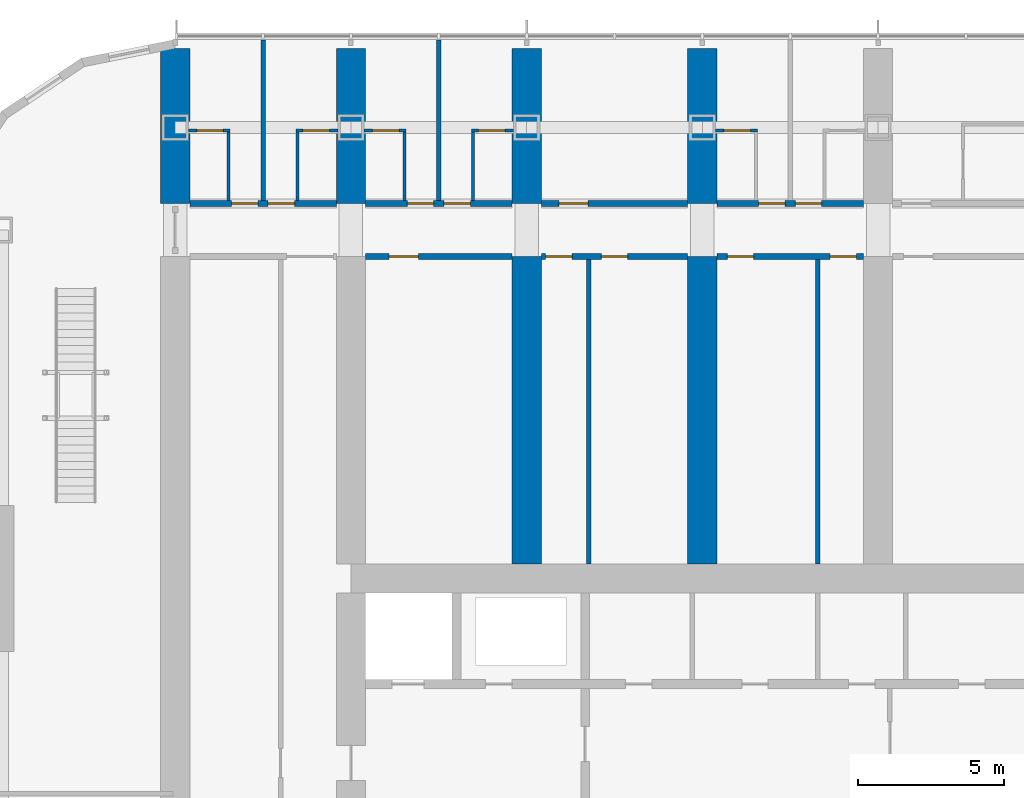
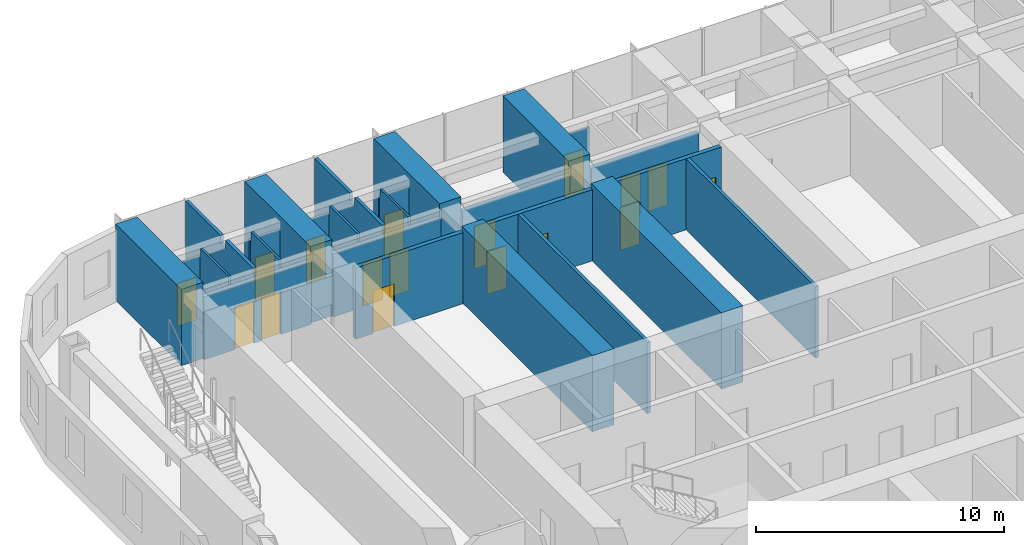
# One storey, part 17 of 28: 26 walls, 17 doors, 17 openings.
"""IFC4 building model written with IfcOpenShell, lengths in metres."""

from ifc_helpers import new_model, si_unit, direction, frame, frame_2d, origin, place, context, subcontext, project, spatial, polyline, rectangle, outline, extrude, material, layer, layer_set, type_object, element, fill, save


model = new_model("IFC4")

# Units and contexts
model_context = context("Model", 3, precision=1e-05, world=origin(), true_north=direction((0.0, 1.0)))
body_context = subcontext(model_context, "Body", "Model", "MODEL_VIEW")
ifc_project = project(units=[si_unit("LENGTHUNIT", "METRE"), si_unit("AREAUNIT", "SQUARE_METRE"), si_unit("VOLUMEUNIT", "CUBIC_METRE"), si_unit("PLANEANGLEUNIT", "RADIAN"), si_unit("MASSUNIT", "GRAM", prefix="KILO")], contexts=[model_context])

# Site, building, storey
site_placement = place(None, origin())
site = spatial("IfcSite", under=ifc_project, at=site_placement, CompositionType="ELEMENT")
building_placement = place(site_placement, origin())
building = spatial("IfcBuilding", under=site, at=building_placement, Name="Orbita Commons", CompositionType="ELEMENT")
storey_placement = place(building_placement, frame((0.0, 0.0, 23.949951171875)))
storey = spatial("IfcBuildingStorey", under=building, at=storey_placement, Name="L05", CompositionType="ELEMENT", Elevation=23.949951171875)

# Wall, openings, doors
ifc_material_1 = material(Name="Concrete blockwork", Category="masonry")
ifc_layer_1 = layer(ifc_material_1, 0.199951171875)
ifc_layer_set_1 = layer_set([ifc_layer_1], Name="Concrete blockwork")
wall_type_1 = type_object("IfcWallType", Name="Corridor wall 200 blockwork", PredefinedType="SOLIDWALL", material=ifc_layer_set_1)
wall_1_placement = place(storey_placement, frame((12.5, 51.0, 0.0), z_axis=(0.0, 0.0, 1.0), x_axis=(1.0, 0.0, 0.0)))
wall_1 = element("IfcWall", 1, at=wall_1_placement, inside=storey, type_object=wall_type_1, Name="Corridor wall 200 blockwork L05", PredefinedType="SOLIDWALL", context=body_context, shape_type="SweptSolid", body=[
    extrude(outline(polyline([(0.0, 0.0), (5.0, 0.0), (5.0, 3.10009765625), (0.0, 3.10009765625), (0.0, 0.0)])), frame((0.0, 0.10009765625, 0.0), z_axis=(0.0, -1.0, 0.0), x_axis=(1.0, 0.0, 0.0)), (0.0, 0.0, 1.0), 0.199951171875),
])
opening_1_placement = place(wall_1_placement, frame((1.425048828125, 0.0, 0.0)))
opening_1 = element("IfcOpeningElement", 2, at=opening_1_placement, cuts=wall_1, Name="Opening D11", PredefinedType="OPENING", context=body_context, shape_type="SweptSolid", body=[
    extrude(rectangle(XDim=0.89990234375, YDim=2.10009765625, at=frame_2d((0.449951171875, 1.050048828125))), frame((0.0, 0.10986328125, 0.0), z_axis=(0.0, -1.0, 0.0), x_axis=(1.0, 0.0, 0.0)), (0.0, 0.0, 1.0), 0.219970703125),
])
opening_2_placement = place(wall_1_placement, frame((2.675048828125, 0.0, 0.0)))
opening_2 = element("IfcOpeningElement", 3, at=opening_2_placement, cuts=wall_1, Name="Opening D11", PredefinedType="OPENING", context=body_context, shape_type="SweptSolid", body=[
    extrude(rectangle(XDim=0.89990234375, YDim=2.10009765625, at=frame_2d((0.449951171875, 1.050048828125))), frame((0.0, 0.10986328125, 0.0), z_axis=(0.0, -1.0, 0.0), x_axis=(1.0, 0.0, 0.0)), (0.0, 0.0, 1.0), 0.219970703125),
])
ifc_material_2 = material(Name="Steel-faced fire door leaf", Category="steel")
door_type_1 = type_object("IfcDoorType", Name="Corridor door 20 min 900x2100", OperationType="SINGLE_SWING_LEFT", PredefinedType="DOOR", material=ifc_material_2)
door_1_placement = place(opening_1_placement, origin())
door_1 = element("IfcDoor", 4, at=door_1_placement, inside=storey, type_object=door_type_1, Name="House bedroom L05-N00 door", OperationType="SINGLE_SWING_LEFT", OverallHeight=2.10009765625, OverallWidth=0.89990234375, PredefinedType="DOOR", context=body_context, shape_type="SweptSolid", body=[
    extrude(rectangle(XDim=0.89990234375, YDim=2.10009765625, at=frame_2d((0.449951171875, 1.050048828125))), frame((0.0, 0.02490234375, 0.0), z_axis=(0.0, -1.0, 0.0), x_axis=(1.0, 0.0, 0.0)), (0.0, 0.0, 1.0), 0.050048828125),
])
fill(opening_1, door_1)
door_2_placement = place(opening_2_placement, origin())
door_2 = element("IfcDoor", 5, at=door_2_placement, inside=storey, type_object=door_type_1, Name="House bedroom L05-N01 door", OperationType="SINGLE_SWING_LEFT", OverallHeight=2.10009765625, OverallWidth=0.89990234375, PredefinedType="DOOR", context=body_context, shape_type="SweptSolid", body=[
    extrude(rectangle(XDim=0.89990234375, YDim=2.10009765625, at=frame_2d((0.449951171875, 1.050048828125))), frame((0.0, 0.02490234375, 0.0), z_axis=(0.0, -1.0, 0.0), x_axis=(1.0, 0.0, 0.0)), (0.0, 0.0, 1.0), 0.050048828125),
])
fill(opening_2, door_2)

wall_2_placement = place(storey_placement, frame((18.5, 51.0, 0.0), z_axis=(0.0, 0.0, 1.0), x_axis=(1.0, 0.0, 0.0)))
wall_2 = element("IfcWall", 6, at=wall_2_placement, inside=storey, type_object=wall_type_1, Name="Corridor wall 200 blockwork L05", PredefinedType="SOLIDWALL", context=body_context, shape_type="SweptSolid", body=[
    extrude(outline(polyline([(0.0, 0.0), (5.0, 0.0), (5.0, 3.10009765625), (0.0, 3.10009765625), (0.0, 0.0)])), frame((0.0, 0.10009765625, 0.0), z_axis=(0.0, -1.0, 0.0), x_axis=(1.0, 0.0, 0.0)), (0.0, 0.0, 1.0), 0.199951171875),
])
opening_3_placement = place(wall_2_placement, frame((1.425048828125, 0.0, 0.0)))
opening_3 = element("IfcOpeningElement", 7, at=opening_3_placement, cuts=wall_2, Name="Opening D11", PredefinedType="OPENING", context=body_context, shape_type="SweptSolid", body=[
    extrude(rectangle(XDim=0.89990234375, YDim=2.10009765625, at=frame_2d((0.449951171875, 1.050048828125))), frame((0.0, 0.10986328125, 0.0), z_axis=(0.0, -1.0, 0.0), x_axis=(1.0, 0.0, 0.0)), (0.0, 0.0, 1.0), 0.219970703125),
])
opening_4_placement = place(wall_2_placement, frame((2.675048828125, 0.0, 0.0)))
opening_4 = element("IfcOpeningElement", 8, at=opening_4_placement, cuts=wall_2, Name="Opening D11", PredefinedType="OPENING", context=body_context, shape_type="SweptSolid", body=[
    extrude(rectangle(XDim=0.89990234375, YDim=2.10009765625, at=frame_2d((0.449951171875, 1.050048828125))), frame((0.0, 0.10986328125, 0.0), z_axis=(0.0, -1.0, 0.0), x_axis=(1.0, 0.0, 0.0)), (0.0, 0.0, 1.0), 0.219970703125),
])
door_3_placement = place(opening_3_placement, origin())
door_3 = element("IfcDoor", 9, at=door_3_placement, inside=storey, type_object=door_type_1, Name="House bedroom L05-N02 door", OperationType="SINGLE_SWING_LEFT", OverallHeight=2.10009765625, OverallWidth=0.89990234375, PredefinedType="DOOR", context=body_context, shape_type="SweptSolid", body=[
    extrude(rectangle(XDim=0.89990234375, YDim=2.10009765625, at=frame_2d((0.449951171875, 1.050048828125))), frame((0.0, 0.02490234375, 0.0), z_axis=(0.0, -1.0, 0.0), x_axis=(1.0, 0.0, 0.0)), (0.0, 0.0, 1.0), 0.050048828125),
])
fill(opening_3, door_3)
door_4_placement = place(opening_4_placement, origin())
door_4 = element("IfcDoor", 10, at=door_4_placement, inside=storey, type_object=door_type_1, Name="House bedroom L05-N03 door", OperationType="SINGLE_SWING_LEFT", OverallHeight=2.10009765625, OverallWidth=0.89990234375, PredefinedType="DOOR", context=body_context, shape_type="SweptSolid", body=[
    extrude(rectangle(XDim=0.89990234375, YDim=2.10009765625, at=frame_2d((0.449951171875, 1.050048828125))), frame((0.0, 0.02490234375, 0.0), z_axis=(0.0, -1.0, 0.0), x_axis=(1.0, 0.0, 0.0)), (0.0, 0.0, 1.0), 0.050048828125),
])
fill(opening_4, door_4)

# Wall, opening, door
wall_3_placement = place(storey_placement, frame((24.5, 51.0, 0.0), z_axis=(0.0, 0.0, 1.0), x_axis=(1.0, 0.0, 0.0)))
wall_3 = element("IfcWall", 11, at=wall_3_placement, inside=storey, type_object=wall_type_1, Name="Corridor wall 200 blockwork L05", PredefinedType="SOLIDWALL", context=body_context, shape_type="SweptSolid", body=[
    extrude(outline(polyline([(0.0, 0.0), (5.0, 0.0), (5.0, 3.10009765625), (0.0, 3.10009765625), (0.0, 0.0)])), frame((0.0, 0.10009765625, 0.0), z_axis=(0.0, -1.0, 0.0), x_axis=(1.0, 0.0, 0.0)), (0.0, 0.0, 1.0), 0.199951171875),
])
opening_5_placement = place(wall_3_placement, frame((0.60009765625, 0.0, 0.0)))
opening_5 = element("IfcOpeningElement", 12, at=opening_5_placement, cuts=wall_3, Name="Opening D06", PredefinedType="OPENING", context=body_context, shape_type="SweptSolid", body=[
    extrude(rectangle(XDim=1.0, YDim=2.10009765625, at=frame_2d((0.5, 1.050048828125))), frame((0.0, 0.10986328125, 0.0), z_axis=(0.0, -1.0, 0.0), x_axis=(1.0, 0.0, 0.0)), (0.0, 0.0, 1.0), 0.219970703125),
])
ifc_material_3 = material(Name="Steel-faced fire door leaf", Category="steel")
door_type_2 = type_object("IfcDoorType", Name="Corridor door 20 min 1000x2100", OperationType="SINGLE_SWING_LEFT", PredefinedType="DOOR", material=ifc_material_3)
door_5_placement = place(opening_5_placement, origin())
door_5 = element("IfcDoor", 13, at=door_5_placement, inside=storey, type_object=door_type_2, Name="House study room L05-N04 door", OperationType="SINGLE_SWING_LEFT", OverallHeight=2.10009765625, OverallWidth=1.0, PredefinedType="DOOR", context=body_context, shape_type="SweptSolid", body=[
    extrude(rectangle(XDim=1.0, YDim=2.10009765625, at=frame_2d((0.5, 1.050048828125))), frame((0.0, 0.02490234375, 0.0), z_axis=(0.0, -1.0, 0.0), x_axis=(1.0, 0.0, 0.0)), (0.0, 0.0, 1.0), 0.050048828125),
])
fill(opening_5, door_5)

# Wall, openings, doors
wall_4_placement = place(storey_placement, frame((30.5, 51.0, 0.0), z_axis=(0.0, 0.0, 1.0), x_axis=(1.0, 0.0, 0.0)))
wall_4 = element("IfcWall", 14, at=wall_4_placement, inside=storey, type_object=wall_type_1, Name="Corridor wall 200 blockwork L05", PredefinedType="SOLIDWALL", context=body_context, shape_type="SweptSolid", body=[
    extrude(outline(polyline([(0.0, 0.0), (5.0, 0.0), (5.0, 3.10009765625), (0.0, 3.10009765625), (0.0, 0.0)])), frame((0.0, 0.10009765625, 0.0), z_axis=(0.0, -1.0, 0.0), x_axis=(1.0, 0.0, 0.0)), (0.0, 0.0, 1.0), 0.199951171875),
])
opening_6_placement = place(wall_4_placement, frame((1.425048828125, 0.0, 0.0)))
opening_6 = element("IfcOpeningElement", 15, at=opening_6_placement, cuts=wall_4, Name="Opening D11", PredefinedType="OPENING", context=body_context, shape_type="SweptSolid", body=[
    extrude(rectangle(XDim=0.89990234375, YDim=2.10009765625, at=frame_2d((0.449951171875, 1.050048828125))), frame((0.0, 0.10986328125, 0.0), z_axis=(0.0, -1.0, 0.0), x_axis=(1.0, 0.0, 0.0)), (0.0, 0.0, 1.0), 0.219970703125),
])
opening_7_placement = place(wall_4_placement, frame((2.675048828125, 0.0, 0.0)))
opening_7 = element("IfcOpeningElement", 16, at=opening_7_placement, cuts=wall_4, Name="Opening D11", PredefinedType="OPENING", context=body_context, shape_type="SweptSolid", body=[
    extrude(rectangle(XDim=0.89990234375, YDim=2.10009765625, at=frame_2d((0.449951171875, 1.050048828125))), frame((0.0, 0.10986328125, 0.0), z_axis=(0.0, -1.0, 0.0), x_axis=(1.0, 0.0, 0.0)), (0.0, 0.0, 1.0), 0.219970703125),
])
door_6_placement = place(opening_6_placement, origin())
door_6 = element("IfcDoor", 17, at=door_6_placement, inside=storey, type_object=door_type_1, Name="House bedroom L05-N06 door", OperationType="SINGLE_SWING_LEFT", OverallHeight=2.10009765625, OverallWidth=0.89990234375, PredefinedType="DOOR", context=body_context, shape_type="SweptSolid", body=[
    extrude(rectangle(XDim=0.89990234375, YDim=2.10009765625, at=frame_2d((0.449951171875, 1.050048828125))), frame((0.0, 0.02490234375, 0.0), z_axis=(0.0, -1.0, 0.0), x_axis=(1.0, 0.0, 0.0)), (0.0, 0.0, 1.0), 0.050048828125),
])
fill(opening_6, door_6)
door_7_placement = place(opening_7_placement, origin())
door_7 = element("IfcDoor", 18, at=door_7_placement, inside=storey, type_object=door_type_1, Name="House bedroom L05-N07 door", OperationType="SINGLE_SWING_LEFT", OverallHeight=2.10009765625, OverallWidth=0.89990234375, PredefinedType="DOOR", context=body_context, shape_type="SweptSolid", body=[
    extrude(rectangle(XDim=0.89990234375, YDim=2.10009765625, at=frame_2d((0.449951171875, 1.050048828125))), frame((0.0, 0.02490234375, 0.0), z_axis=(0.0, -1.0, 0.0), x_axis=(1.0, 0.0, 0.0)), (0.0, 0.0, 1.0), 0.050048828125),
])
fill(opening_7, door_7)

# Wall, opening, door
ifc_material_4 = material(Name="Hollow concrete block 200", Category="concrete")
ifc_layer_2 = layer(ifc_material_4, 0.199951171875)
ifc_layer_set_2 = layer_set([ifc_layer_2], Name="Hollow concrete block 200")
wall_type_2 = type_object("IfcWallType", Name="Corridor wall 200 hollow concrete block", PredefinedType="SOLIDWALL", material=ifc_layer_set_2)
wall_5_placement = place(storey_placement, frame((18.5, 49.199951171875, 0.0), z_axis=(0.0, 0.0, 1.0), x_axis=(1.0, 0.0, 0.0)))
wall_5 = element("IfcWall", 19, at=wall_5_placement, inside=storey, type_object=wall_type_2, Name="Corridor wall 200 hollow concrete block L05", PredefinedType="SOLIDWALL", context=body_context, shape_type="SweptSolid", body=[
    extrude(rectangle(XDim=5.0, YDim=0.199951171875, at=frame_2d((2.5, 0.0))), origin(), (0.0, 0.0, 1.0), 3.5),
])
opening_8_placement = place(wall_5_placement, frame((0.800048828125, 0.0, 0.0)))
opening_8 = element("IfcOpeningElement", 20, at=opening_8_placement, cuts=wall_5, Name="Opening D06", PredefinedType="OPENING", context=body_context, shape_type="SweptSolid", body=[
    extrude(rectangle(XDim=1.0, YDim=2.10009765625, at=frame_2d((0.5, 1.050048828125))), frame((0.0, 0.10986328125, 0.0), z_axis=(0.0, -1.0, 0.0), x_axis=(1.0, 0.0, 0.0)), (0.0, 0.0, 1.0), 0.219970703125),
])
door_8_placement = place(opening_8_placement, origin())
door_8 = element("IfcDoor", 21, at=door_8_placement, inside=storey, type_object=door_type_2, Name="IT and print room L05-BDN18 door", OperationType="SINGLE_SWING_LEFT", OverallHeight=2.10009765625, OverallWidth=1.0, PredefinedType="DOOR", context=body_context, shape_type="SweptSolid", body=[
    extrude(rectangle(XDim=1.0, YDim=2.10009765625, at=frame_2d((0.5, 1.050048828125))), frame((0.0, 0.02490234375, 0.0), z_axis=(0.0, -1.0, 0.0), x_axis=(1.0, 0.0, 0.0)), (0.0, 0.0, 1.0), 0.050048828125),
])
fill(opening_8, door_8)

# Wall, openings, doors
wall_6_placement = place(storey_placement, frame((24.5, 49.199951171875, 0.0), z_axis=(0.0, 0.0, 1.0), x_axis=(1.0, 0.0, 0.0)))
wall_6 = element("IfcWall", 22, at=wall_6_placement, inside=storey, type_object=wall_type_2, Name="Corridor wall 200 hollow concrete block L05", PredefinedType="SOLIDWALL", context=body_context, shape_type="SweptSolid", body=[
    extrude(rectangle(XDim=5.0, YDim=0.199951171875, at=frame_2d((2.5, 0.0))), origin(), (0.0, 0.0, 1.0), 3.5),
])
opening_9_placement = place(wall_6_placement, frame((0.14990234375, 0.0, 0.0)))
opening_9 = element("IfcOpeningElement", 23, at=opening_9_placement, cuts=wall_6, Name="Opening D11", PredefinedType="OPENING", context=body_context, shape_type="SweptSolid", body=[
    extrude(rectangle(XDim=0.89990234375, YDim=2.10009765625, at=frame_2d((0.449951171875, 1.050048828125))), frame((0.0, 0.10986328125, 0.0), z_axis=(0.0, -1.0, 0.0), x_axis=(1.0, 0.0, 0.0)), (0.0, 0.0, 1.0), 0.219970703125),
])
opening_10_placement = place(wall_6_placement, frame((2.050048828125, 0.0, 0.0)))
opening_10 = element("IfcOpeningElement", 24, at=opening_10_placement, cuts=wall_6, Name="Opening D11", PredefinedType="OPENING", context=body_context, shape_type="SweptSolid", body=[
    extrude(rectangle(XDim=0.89990234375, YDim=2.10009765625, at=frame_2d((0.449951171875, 1.050048828125))), frame((0.0, 0.10986328125, 0.0), z_axis=(0.0, -1.0, 0.0), x_axis=(1.0, 0.0, 0.0)), (0.0, 0.0, 1.0), 0.219970703125),
])
door_9_placement = place(opening_9_placement, origin())
door_9 = element("IfcDoor", 25, at=door_9_placement, inside=storey, type_object=door_type_1, Name="Water heater cupboard L05-BDN24n door", OperationType="SINGLE_SWING_LEFT", OverallHeight=2.10009765625, OverallWidth=0.89990234375, PredefinedType="DOOR", context=body_context, shape_type="SweptSolid", body=[
    extrude(rectangle(XDim=0.89990234375, YDim=2.10009765625, at=frame_2d((0.449951171875, 1.050048828125))), frame((0.0, 0.02490234375, 0.0), z_axis=(0.0, -1.0, 0.0), x_axis=(1.0, 0.0, 0.0)), (0.0, 0.0, 1.0), 0.050048828125),
])
fill(opening_9, door_9)
door_10_placement = place(opening_10_placement, origin())
door_10 = element("IfcDoor", 26, at=door_10_placement, inside=storey, type_object=door_type_1, Name="Electrical and data room L05-BDN24 door", OperationType="SINGLE_SWING_LEFT", OverallHeight=2.10009765625, OverallWidth=0.89990234375, PredefinedType="DOOR", context=body_context, shape_type="SweptSolid", body=[
    extrude(rectangle(XDim=0.89990234375, YDim=2.10009765625, at=frame_2d((0.449951171875, 1.050048828125))), frame((0.0, 0.02490234375, 0.0), z_axis=(0.0, -1.0, 0.0), x_axis=(1.0, 0.0, 0.0)), (0.0, 0.0, 1.0), 0.050048828125),
])
fill(opening_10, door_10)

wall_7_placement = place(storey_placement, frame((30.5, 49.199951171875, 0.0), z_axis=(0.0, 0.0, 1.0), x_axis=(1.0, 0.0, 0.0)))
wall_7 = element("IfcWall", 27, at=wall_7_placement, inside=storey, type_object=wall_type_2, Name="Corridor wall 200 hollow concrete block L05", PredefinedType="SOLIDWALL", context=body_context, shape_type="SweptSolid", body=[
    extrude(rectangle(XDim=5.0, YDim=0.199951171875, at=frame_2d((2.5, 0.0))), origin(), (0.0, 0.0, 1.0), 3.5),
])
opening_11_placement = place(wall_7_placement, frame((0.35009765625, 0.0, 0.0)))
opening_11 = element("IfcOpeningElement", 28, at=opening_11_placement, cuts=wall_7, Name="Opening D11", PredefinedType="OPENING", context=body_context, shape_type="SweptSolid", body=[
    extrude(rectangle(XDim=0.89990234375, YDim=2.10009765625, at=frame_2d((0.449951171875, 1.050048828125))), frame((0.0, 0.10986328125, 0.0), z_axis=(0.0, -1.0, 0.0), x_axis=(1.0, 0.0, 0.0)), (0.0, 0.0, 1.0), 0.219970703125),
])
opening_12_placement = place(wall_7_placement, frame((3.860107421875, 0.0, 0.0)))
opening_12 = element("IfcOpeningElement", 29, at=opening_12_placement, cuts=wall_7, Name="Opening D11", PredefinedType="OPENING", context=body_context, shape_type="SweptSolid", body=[
    extrude(rectangle(XDim=0.89990234375, YDim=2.10009765625, at=frame_2d((0.449951171875, 1.050048828125))), frame((0.0, 0.10986328125, 0.0), z_axis=(0.0, -1.0, 0.0), x_axis=(1.0, 0.0, 0.0)), (0.0, 0.0, 1.0), 0.219970703125),
])
door_11_placement = place(opening_11_placement, origin())
door_11 = element("IfcDoor", 30, at=door_11_placement, inside=storey, type_object=door_type_1, Name="Ventilation plant room north L05-BDN30 door", OperationType="SINGLE_SWING_LEFT", OverallHeight=2.10009765625, OverallWidth=0.89990234375, PredefinedType="DOOR", context=body_context, shape_type="SweptSolid", body=[
    extrude(rectangle(XDim=0.89990234375, YDim=2.10009765625, at=frame_2d((0.449951171875, 1.050048828125))), frame((0.0, 0.02490234375, 0.0), z_axis=(0.0, -1.0, 0.0), x_axis=(1.0, 0.0, 0.0)), (0.0, 0.0, 1.0), 0.050048828125),
])
fill(opening_11, door_11)
door_12_placement = place(opening_12_placement, origin())
door_12 = element("IfcDoor", 31, at=door_12_placement, inside=storey, type_object=door_type_1, Name="Equipment store L05-BDN30n door", OperationType="SINGLE_SWING_LEFT", OverallHeight=2.10009765625, OverallWidth=0.89990234375, PredefinedType="DOOR", context=body_context, shape_type="SweptSolid", body=[
    extrude(rectangle(XDim=0.89990234375, YDim=2.10009765625, at=frame_2d((0.449951171875, 1.050048828125))), frame((0.0, 0.02490234375, 0.0), z_axis=(0.0, -1.0, 0.0), x_axis=(1.0, 0.0, 0.0)), (0.0, 0.0, 1.0), 0.050048828125),
])
fill(opening_12, door_12)

# Walls
ifc_material_5 = material(Name="Concrete C50/60", Category="concrete")
ifc_layer_3 = layer(ifc_material_5, 1.0)
ifc_layer_set_3 = layer_set([ifc_layer_3], Name="Concrete C50/60")
wall_type_3 = type_object("IfcWallType", Name="Cross wall 1000 C50/60", PredefinedType="SHEAR", material=ifc_layer_set_3)
for number, where, z_axis, x_axis, name in (
    (32, (12.0, 51.0, 0.0), (0.0, 0.0, 1.0), (0.0, 1.0, 0.0), "Cross wall 3 north outer L05"),
    (33, (18.0, 51.0, 0.0), (0.0, 0.0, 1.0), (0.0, 1.0, 0.0), "Cross wall 4 north outer L05"),
    (34, (24.0, 51.0, 0.0), (0.0, 0.0, 1.0), (0.0, 1.0, 0.0), "Cross wall 5 north outer L05"),
):
    element("IfcWall", number, at=place(storey_placement, frame(where, z_axis=z_axis, x_axis=x_axis)), inside=storey, type_object=wall_type_3, Name=name, PredefinedType="SHEAR", context=body_context, shape_type="SweptSolid", body=[
        extrude(rectangle(XDim=5.300048828125, YDim=1.0, at=frame_2d((2.64990234375, 0.0))), origin(), (0.0, 0.0, 1.0), 3.75),
    ])
wall_8_placement = place(storey_placement, frame((24.0, 38.699951171875, 0.0), z_axis=(0.0, 0.0, 1.0), x_axis=(0.0, 1.0, 0.0)))
element("IfcWall", 35, at=wall_8_placement, inside=storey, type_object=wall_type_3, Name="Cross wall 5 north inner L05", PredefinedType="SHEAR", context=body_context, shape_type="SweptSolid", body=[
    extrude(rectangle(XDim=10.5, YDim=1.0, at=frame_2d((5.25, 0.0))), origin(), (0.0, 0.0, 1.0), 3.75),
])
wall_9_placement = place(storey_placement, frame((30.0, 51.0, 0.0), z_axis=(0.0, 0.0, 1.0), x_axis=(0.0, 1.0, 0.0)))
element("IfcWall", 36, at=wall_9_placement, inside=storey, type_object=wall_type_3, Name="Cross wall 6 north outer L05", PredefinedType="SHEAR", context=body_context, shape_type="SweptSolid", body=[
    extrude(rectangle(XDim=5.300048828125, YDim=1.0, at=frame_2d((2.64990234375, 0.0))), origin(), (0.0, 0.0, 1.0), 3.75),
])
wall_10_placement = place(storey_placement, frame((30.0, 38.699951171875, 0.0), z_axis=(0.0, 0.0, 1.0), x_axis=(0.0, 1.0, 0.0)))
element("IfcWall", 37, at=wall_10_placement, inside=storey, type_object=wall_type_3, Name="Cross wall 6 north inner L05", PredefinedType="SHEAR", context=body_context, shape_type="SweptSolid", body=[
    extrude(rectangle(XDim=10.5, YDim=1.0, at=frame_2d((5.25, 0.0))), origin(), (0.0, 0.0, 1.0), 3.75),
])

# Wall, opening, door
ifc_material_6 = material(Name="Moisture-resistant plasterboard on steel studs", Category="steel")
ifc_layer_4 = layer(ifc_material_6, 0.10009765625)
ifc_layer_set_4 = layer_set([ifc_layer_4], Name="Moisture-resistant plasterboard on steel studs")
wall_type_4 = type_object("IfcWallType", Name="En-suite partition 100", PredefinedType="PARTITIONING", material=ifc_layer_set_4)
wall_11_placement = place(storey_placement, frame((12.449951171875, 53.5, 0.0), z_axis=(0.0, 0.0, 1.0), x_axis=(1.0, 0.0, 0.0)))
wall_11 = element("IfcWall", 38, at=wall_11_placement, inside=storey, type_object=wall_type_4, Name="En-suite partition 100 L05", PredefinedType="PARTITIONING", context=body_context, shape_type="SweptSolid", body=[
    extrude(outline(polyline([(0.0, 0.0), (1.425048828125, 0.0), (1.425048828125, 3.10009765625), (0.0, 3.10009765625), (0.0, 0.0)])), frame((0.0, 0.050048828125, 0.0), z_axis=(0.0, -1.0, 0.0), x_axis=(1.0, 0.0, 0.0)), (0.0, 0.0, 1.0), 0.10009765625),
])
opening_13_placement = place(wall_11_placement, frame((0.28759765625, 0.0, 0.0)))
opening_13 = element("IfcOpeningElement", 39, at=opening_13_placement, cuts=wall_11, Name="Opening D09", PredefinedType="OPENING", context=body_context, shape_type="SweptSolid", body=[
    extrude(rectangle(XDim=0.89990234375, YDim=2.10009765625, at=frame_2d((0.449951171875, 1.050048828125))), frame((0.0, 0.06005859375, 0.0), z_axis=(0.0, -1.0, 0.0), x_axis=(1.0, 0.0, 0.0)), (0.0, 0.0, 1.0), 0.1201171875),
])
ifc_material_7 = material(Name="Laminated timber door leaf", Category="wood")
door_type_3 = type_object("IfcDoorType", Name="En-suite door 900x2100", OperationType="SINGLE_SWING_RIGHT", PredefinedType="DOOR", material=ifc_material_7)
door_13_placement = place(opening_13_placement, origin())
door_13 = element("IfcDoor", 40, at=door_13_placement, inside=storey, type_object=door_type_3, Name="En-suite L05-N00 door", OperationType="SINGLE_SWING_RIGHT", OverallHeight=2.10009765625, OverallWidth=0.89990234375, PredefinedType="DOOR", context=body_context, shape_type="SweptSolid", body=[
    extrude(rectangle(XDim=0.89990234375, YDim=2.10009765625, at=frame_2d((0.449951171875, 1.050048828125))), frame((0.0, 0.02490234375, 0.0), z_axis=(0.0, -1.0, 0.0), x_axis=(1.0, 0.0, 0.0)), (0.0, 0.0, 1.0), 0.050048828125),
])
fill(opening_13, door_13)

# Wall
wall_12_placement = place(storey_placement, frame((13.824951171875, 53.449951171875, 0.0), z_axis=(0.0, 0.0, 1.0), x_axis=(0.0, -1.0, 0.0)))
element("IfcWall", 41, at=wall_12_placement, inside=storey, type_object=wall_type_4, Name="En-suite partition 100 L05", PredefinedType="PARTITIONING", context=body_context, shape_type="SweptSolid", body=[
    extrude(outline(polyline([(0.0, 0.0), (2.349853515625, 0.0), (2.35009765625, 3.10009765625), (2.302001953125, 3.10009765625), (2.300048828125, 3.5), (0.052001953125, 3.5), (0.050048828125, 3.10009765625), (0.0, 3.10009765625), (0.0, 0.0)])), frame((0.0, 0.050048828125, 0.0), z_axis=(0.0, -1.0, 0.0), x_axis=(1.0, 0.0, 0.0)), (0.0, 0.0, 1.0), 0.10009765625),
])

# Wall, opening, door
wall_13_placement = place(storey_placement, frame((16.125, 53.5, 0.0), z_axis=(0.0, 0.0, 1.0), x_axis=(1.0, 0.0, 0.0)))
wall_13 = element("IfcWall", 42, at=wall_13_placement, inside=storey, type_object=wall_type_4, Name="En-suite partition 100 L05", PredefinedType="PARTITIONING", context=body_context, shape_type="SweptSolid", body=[
    extrude(outline(polyline([(0.0, 0.0), (1.425048828125, 0.0), (1.425048828125, 3.10009765625), (0.0, 3.10009765625), (0.0, 0.0)])), frame((0.0, 0.050048828125, 0.0), z_axis=(0.0, -1.0, 0.0), x_axis=(1.0, 0.0, 0.0)), (0.0, 0.0, 1.0), 0.10009765625),
])
opening_14_placement = place(wall_13_placement, frame((0.237548828125, 0.0, 0.0)))
opening_14 = element("IfcOpeningElement", 43, at=opening_14_placement, cuts=wall_13, Name="Opening D09", PredefinedType="OPENING", context=body_context, shape_type="SweptSolid", body=[
    extrude(rectangle(XDim=0.89990234375, YDim=2.10009765625, at=frame_2d((0.449951171875, 1.050048828125))), frame((0.0, 0.06005859375, 0.0), z_axis=(0.0, -1.0, 0.0), x_axis=(1.0, 0.0, 0.0)), (0.0, 0.0, 1.0), 0.1201171875),
])
door_14_placement = place(opening_14_placement, origin())
door_14 = element("IfcDoor", 44, at=door_14_placement, inside=storey, type_object=door_type_3, Name="En-suite L05-N01 door", OperationType="SINGLE_SWING_RIGHT", OverallHeight=2.10009765625, OverallWidth=0.89990234375, PredefinedType="DOOR", context=body_context, shape_type="SweptSolid", body=[
    extrude(rectangle(XDim=0.89990234375, YDim=2.10009765625, at=frame_2d((0.449951171875, 1.050048828125))), frame((0.0, 0.02490234375, 0.0), z_axis=(0.0, -1.0, 0.0), x_axis=(1.0, 0.0, 0.0)), (0.0, 0.0, 1.0), 0.050048828125),
])
fill(opening_14, door_14)

# Wall
wall_14_placement = place(storey_placement, frame((16.175048828125, 53.449951171875, 0.0), z_axis=(0.0, 0.0, 1.0), x_axis=(0.0, -1.0, 0.0)))
element("IfcWall", 45, at=wall_14_placement, inside=storey, type_object=wall_type_4, Name="En-suite partition 100 L05", PredefinedType="PARTITIONING", context=body_context, shape_type="SweptSolid", body=[
    extrude(outline(polyline([(0.0, 0.0), (2.349853515625, 0.0), (2.35009765625, 3.10009765625), (2.302001953125, 3.10009765625), (2.300048828125, 3.5), (0.052001953125, 3.5), (0.050048828125, 3.10009765625), (0.0, 3.10009765625), (0.0, 0.0)])), frame((0.0, 0.050048828125, 0.0), z_axis=(0.0, -1.0, 0.0), x_axis=(1.0, 0.0, 0.0)), (0.0, 0.0, 1.0), 0.10009765625),
])

# Wall, opening, door
wall_15_placement = place(storey_placement, frame((18.449951171875, 53.5, 0.0), z_axis=(0.0, 0.0, 1.0), x_axis=(1.0, 0.0, 0.0)))
wall_15 = element("IfcWall", 46, at=wall_15_placement, inside=storey, type_object=wall_type_4, Name="En-suite partition 100 L05", PredefinedType="PARTITIONING", context=body_context, shape_type="SweptSolid", body=[
    extrude(outline(polyline([(0.0, 0.0), (1.425048828125, 0.0), (1.425048828125, 3.10009765625), (0.0, 3.10009765625), (0.0, 0.0)])), frame((0.0, 0.050048828125, 0.0), z_axis=(0.0, -1.0, 0.0), x_axis=(1.0, 0.0, 0.0)), (0.0, 0.0, 1.0), 0.10009765625),
])
opening_15_placement = place(wall_15_placement, frame((0.28759765625, 0.0, 0.0)))
opening_15 = element("IfcOpeningElement", 47, at=opening_15_placement, cuts=wall_15, Name="Opening D09", PredefinedType="OPENING", context=body_context, shape_type="SweptSolid", body=[
    extrude(rectangle(XDim=0.89990234375, YDim=2.10009765625, at=frame_2d((0.449951171875, 1.050048828125))), frame((0.0, 0.06005859375, 0.0), z_axis=(0.0, -1.0, 0.0), x_axis=(1.0, 0.0, 0.0)), (0.0, 0.0, 1.0), 0.1201171875),
])
door_15_placement = place(opening_15_placement, origin())
door_15 = element("IfcDoor", 48, at=door_15_placement, inside=storey, type_object=door_type_3, Name="En-suite L05-N02 door", OperationType="SINGLE_SWING_RIGHT", OverallHeight=2.10009765625, OverallWidth=0.89990234375, PredefinedType="DOOR", context=body_context, shape_type="SweptSolid", body=[
    extrude(rectangle(XDim=0.89990234375, YDim=2.10009765625, at=frame_2d((0.449951171875, 1.050048828125))), frame((0.0, 0.02490234375, 0.0), z_axis=(0.0, -1.0, 0.0), x_axis=(1.0, 0.0, 0.0)), (0.0, 0.0, 1.0), 0.050048828125),
])
fill(opening_15, door_15)

# Wall
wall_16_placement = place(storey_placement, frame((19.824951171875, 53.449951171875, 0.0), z_axis=(0.0, 0.0, 1.0), x_axis=(0.0, -1.0, 0.0)))
element("IfcWall", 49, at=wall_16_placement, inside=storey, type_object=wall_type_4, Name="En-suite partition 100 L05", PredefinedType="PARTITIONING", context=body_context, shape_type="SweptSolid", body=[
    extrude(outline(polyline([(0.0, 0.0), (2.349853515625, 0.0), (2.35009765625, 3.10009765625), (2.302001953125, 3.10009765625), (2.300048828125, 3.5), (0.052001953125, 3.5), (0.050048828125, 3.10009765625), (0.0, 3.10009765625), (0.0, 0.0)])), frame((0.0, 0.050048828125, 0.0), z_axis=(0.0, -1.0, 0.0), x_axis=(1.0, 0.0, 0.0)), (0.0, 0.0, 1.0), 0.10009765625),
])

# Wall, opening, door
wall_17_placement = place(storey_placement, frame((22.125, 53.5, 0.0), z_axis=(0.0, 0.0, 1.0), x_axis=(1.0, 0.0, 0.0)))
wall_17 = element("IfcWall", 50, at=wall_17_placement, inside=storey, type_object=wall_type_4, Name="En-suite partition 100 L05", PredefinedType="PARTITIONING", context=body_context, shape_type="SweptSolid", body=[
    extrude(outline(polyline([(0.0, 0.0), (1.425048828125, 0.0), (1.425048828125, 3.10009765625), (0.0, 3.10009765625), (0.0, 0.0)])), frame((0.0, 0.050048828125, 0.0), z_axis=(0.0, -1.0, 0.0), x_axis=(1.0, 0.0, 0.0)), (0.0, 0.0, 1.0), 0.10009765625),
])
opening_16_placement = place(wall_17_placement, frame((0.237548828125, 0.0, 0.0)))
opening_16 = element("IfcOpeningElement", 51, at=opening_16_placement, cuts=wall_17, Name="Opening D09", PredefinedType="OPENING", context=body_context, shape_type="SweptSolid", body=[
    extrude(rectangle(XDim=0.89990234375, YDim=2.10009765625, at=frame_2d((0.449951171875, 1.050048828125))), frame((0.0, 0.06005859375, 0.0), z_axis=(0.0, -1.0, 0.0), x_axis=(1.0, 0.0, 0.0)), (0.0, 0.0, 1.0), 0.1201171875),
])
door_16_placement = place(opening_16_placement, origin())
door_16 = element("IfcDoor", 52, at=door_16_placement, inside=storey, type_object=door_type_3, Name="En-suite L05-N03 door", OperationType="SINGLE_SWING_RIGHT", OverallHeight=2.10009765625, OverallWidth=0.89990234375, PredefinedType="DOOR", context=body_context, shape_type="SweptSolid", body=[
    extrude(rectangle(XDim=0.89990234375, YDim=2.10009765625, at=frame_2d((0.449951171875, 1.050048828125))), frame((0.0, 0.02490234375, 0.0), z_axis=(0.0, -1.0, 0.0), x_axis=(1.0, 0.0, 0.0)), (0.0, 0.0, 1.0), 0.050048828125),
])
fill(opening_16, door_16)

# Wall
wall_18_placement = place(storey_placement, frame((22.175048828125, 53.449951171875, 0.0), z_axis=(0.0, 0.0, 1.0), x_axis=(0.0, -1.0, 0.0)))
element("IfcWall", 53, at=wall_18_placement, inside=storey, type_object=wall_type_4, Name="En-suite partition 100 L05", PredefinedType="PARTITIONING", context=body_context, shape_type="SweptSolid", body=[
    extrude(outline(polyline([(0.0, 0.0), (2.349853515625, 0.0), (2.35009765625, 3.10009765625), (2.302001953125, 3.10009765625), (2.300048828125, 3.5), (0.052001953125, 3.5), (0.050048828125, 3.10009765625), (0.0, 3.10009765625), (0.0, 0.0)])), frame((0.0, 0.050048828125, 0.0), z_axis=(0.0, -1.0, 0.0), x_axis=(1.0, 0.0, 0.0)), (0.0, 0.0, 1.0), 0.10009765625),
])

# Wall, opening, door
wall_19_placement = place(storey_placement, frame((30.449951171875, 53.5, 0.0), z_axis=(0.0, 0.0, 1.0), x_axis=(1.0, 0.0, 0.0)))
wall_19 = element("IfcWall", 54, at=wall_19_placement, inside=storey, type_object=wall_type_4, Name="En-suite partition 100 L05", PredefinedType="PARTITIONING", context=body_context, shape_type="SweptSolid", body=[
    extrude(outline(polyline([(0.0, 0.0), (1.425048828125, 0.0), (1.425048828125, 3.10009765625), (0.0, 3.10009765625), (0.0, 0.0)])), frame((0.0, 0.050048828125, 0.0), z_axis=(0.0, -1.0, 0.0), x_axis=(1.0, 0.0, 0.0)), (0.0, 0.0, 1.0), 0.10009765625),
])
opening_17_placement = place(wall_19_placement, frame((0.28759765625, 0.0, 0.0)))
opening_17 = element("IfcOpeningElement", 55, at=opening_17_placement, cuts=wall_19, Name="Opening D09", PredefinedType="OPENING", context=body_context, shape_type="SweptSolid", body=[
    extrude(rectangle(XDim=0.89990234375, YDim=2.10009765625, at=frame_2d((0.449951171875, 1.050048828125))), frame((0.0, 0.06005859375, 0.0), z_axis=(0.0, -1.0, 0.0), x_axis=(1.0, 0.0, 0.0)), (0.0, 0.0, 1.0), 0.1201171875),
])
door_17_placement = place(opening_17_placement, origin())
door_17 = element("IfcDoor", 56, at=door_17_placement, inside=storey, type_object=door_type_3, Name="En-suite L05-N06 door", OperationType="SINGLE_SWING_RIGHT", OverallHeight=2.10009765625, OverallWidth=0.89990234375, PredefinedType="DOOR", context=body_context, shape_type="SweptSolid", body=[
    extrude(rectangle(XDim=0.89990234375, YDim=2.10009765625, at=frame_2d((0.449951171875, 1.050048828125))), frame((0.0, 0.02490234375, 0.0), z_axis=(0.0, -1.0, 0.0), x_axis=(1.0, 0.0, 0.0)), (0.0, 0.0, 1.0), 0.050048828125),
])
fill(opening_17, door_17)

# Walls
ifc_material_8 = material(Name="Gypsum plasterboard on steel studs", Category="steel")
ifc_layer_5 = layer(ifc_material_8, 0.14990234375)
ifc_layer_set_5 = layer_set([ifc_layer_5], Name="Gypsum plasterboard on steel studs")
wall_type_5 = type_object("IfcWallType", Name="Partition 150 plasterboard", PredefinedType="PARTITIONING", material=ifc_layer_set_5)
for number, where, z_axis, x_axis, name in (
    (57, (26.125, 38.699951171875, 0.0), (0.0, 0.0, 1.0), (0.0, 1.0, 0.0), "Partition 150 plasterboard L05"),
    (58, (33.93505859375, 38.699951171875, 0.0), (0.0, 0.0, 1.0), (0.0, 1.0, 0.0), "Partition 150 plasterboard L05"),
):
    element("IfcWall", number, at=place(storey_placement, frame(where, z_axis=z_axis, x_axis=x_axis)), inside=storey, type_object=wall_type_5, Name=name, PredefinedType="PARTITIONING", context=body_context, shape_type="SweptSolid", body=[
        extrude(rectangle(XDim=10.400146484375, YDim=0.14990234375, at=frame_2d((5.2001953125, 0.0))), origin(), (0.0, 0.0, 1.0), 3.5),
    ])
ifc_material_9 = material(Name="Gypsum plasterboard on steel studs", Category="steel")
ifc_layer_6 = layer(ifc_material_9, 0.14990234375)
ifc_layer_set_6 = layer_set([ifc_layer_6], Name="Gypsum plasterboard on steel studs")
wall_type_6 = type_object("IfcWallType", Name="Party wall 150 plasterboard", PredefinedType="PARTITIONING", material=ifc_layer_set_6)
for number, where, z_axis, x_axis, name in (
    (59, (15.0, 56.590087890625, 0.0), (0.0, 0.0, 1.0), (0.0, -1.0, 0.0), "Party wall 150 plasterboard L05"),
    (60, (21.0, 56.590087890625, 0.0), (0.0, 0.0, 1.0), (0.0, -1.0, 0.0), "Party wall 150 plasterboard L05"),
):
    element("IfcWall", number, at=place(storey_placement, frame(where, z_axis=z_axis, x_axis=x_axis)), inside=storey, type_object=wall_type_6, Name=name, PredefinedType="PARTITIONING", context=body_context, shape_type="SweptSolid", body=[
        extrude(outline(polyline([(0.0, 0.0), (5.489990234375, 0.0), (5.489990234375, 3.10009765625), (5.44189453125, 3.10009765625), (5.43994140625, 3.5), (3.19189453125, 3.5), (3.18994140625, 3.10009765625), (2.7919921875, 3.10009765625), (2.7900390625, 3.5), (0.0, 3.5), (0.0, 0.0)])), frame((0.0, 0.074951171875, 0.0), z_axis=(0.0, -1.0, 0.0), x_axis=(1.0, 0.0, 0.0)), (0.0, 0.0, 1.0), 0.14990234375),
    ])

save(model, "model.ifc")
